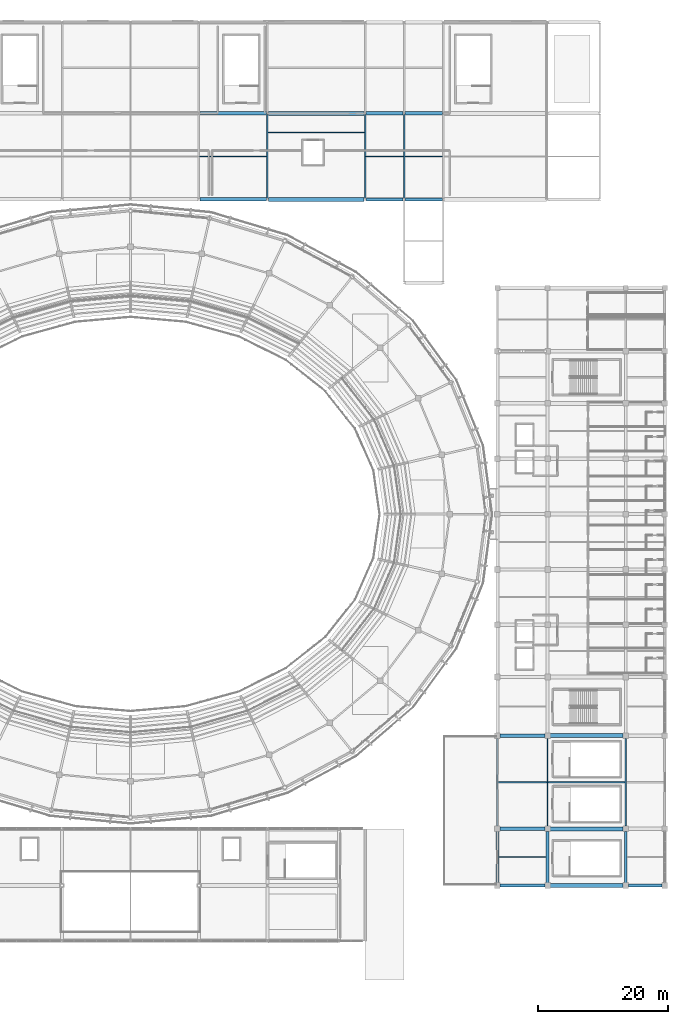
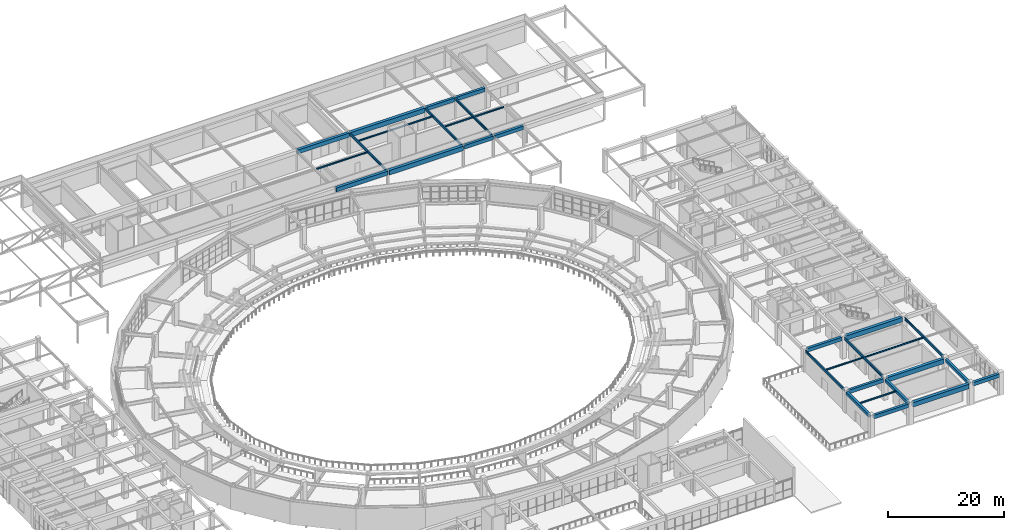
# One storey, part 62 of 122: 31 beams.
"""IFC4 building model written with IfcOpenShell, lengths in metres."""

import ifcopenshell
import ifcopenshell.guid

model = None  # the IFC model being written
_history = None  # IfcOwnerHistory: only IFC2X3 demands one
_inside = {}  # id of a spatial element -> (the spatial element, [elements in it])
_under = {}  # id of a project, library or spatial element -> (it, [spatial elements below it])
_declared = {}  # id of a project -> (the project, [libraries it declares])
_typed = {}  # id of a type object -> (the type object, [elements of that type])
_made_of = {}  # id of a material, layer set ... -> (it, [elements and type objects made of it])


def new_model(schema):
    """Start an empty IFC model of exactly this schema.

    Asked for "IFC4X3", IfcOpenShell would pick the latest addendum, in which some entities
    have other attributes; the version numbers below select the first issue.
    IFC2X3 requires an IfcOwnerHistory on every rooted entity: one is made here for all.
    """
    global model, _history
    if schema == "IFC4X3":
        model = ifcopenshell.file(schema_version=(4, 3, 0, 0))
    else:
        model = ifcopenshell.file(schema=schema)
    _inside.clear()
    _under.clear()
    _declared.clear()
    _typed.clear()
    _made_of.clear()
    _history = None
    if model.schema == "IFC2X3":
        org = make("IfcOrganization", Name="unknown")
        user = make(
            "IfcPersonAndOrganization",
            ThePerson=make("IfcPerson", FamilyName="unknown"),
            TheOrganization=org,
        )
        app = make(
            "IfcApplication",
            ApplicationDeveloper=org,
            Version="unknown",
            ApplicationFullName="unknown",
            ApplicationIdentifier="unknown",
        )
        _history = make(
            "IfcOwnerHistory",
            OwningUser=user,
            OwningApplication=app,
            ChangeAction="ADDED",
            CreationDate=0,
        )
    return model


def make(cls, **values):
    """One entity of the class cls with the attributes given. An attribute that is None is left unset."""
    return model.create_entity(
        cls, **{name: value for name, value in values.items() if value is not None}
    )


def rooted(cls, **values):
    """An entity with a GlobalId (a new one), such as an element, a storey or a relation."""
    return make(cls, GlobalId=ifcopenshell.guid.new(), OwnerHistory=_history, **values)


def si_unit(unit_type, name, prefix=None):
    """IfcSIUnit, for example si_unit("LENGTHUNIT", "METRE", prefix="MILLI")."""
    return make("IfcSIUnit", UnitType=unit_type, Prefix=prefix, Name=name)


def assignment(units):
    """IfcUnitAssignment: the units of a project."""
    return None if units is None else make("IfcUnitAssignment", Units=units)


def point(xyz):
    """IfcCartesianPoint."""
    return None if xyz is None else make("IfcCartesianPoint", Coordinates=xyz)


def direction(xyz):
    """IfcDirection."""
    return None if xyz is None else make("IfcDirection", DirectionRatios=xyz)


def frame(location, z_axis=None, x_axis=None):
    """IfcAxis2Placement3D, a coordinate frame: its origin and axes. An axis left out is left unset."""
    return make(
        "IfcAxis2Placement3D",
        Location=point(location),
        Axis=direction(z_axis),
        RefDirection=direction(x_axis),
    )


def frame_2d(location, x_axis=None):
    """IfcAxis2Placement2D, a coordinate frame in the plane: its origin and x axis."""
    return make(
        "IfcAxis2Placement2D", Location=point(location), RefDirection=direction(x_axis)
    )


def origin():
    """The frame at (0, 0, 0) with its axes left unset."""
    return frame((0.0, 0.0, 0.0))


def origin_2d():
    """The frame at (0, 0) in the plane with its x axis left unset."""
    return frame_2d((0.0, 0.0))


def place(relative_to, where):
    """IfcLocalPlacement: puts the frame where relative to a parent placement (None: the world)."""
    return make(
        "IfcLocalPlacement", PlacementRelTo=relative_to, RelativePlacement=where
    )


def context(
    kind, dimensions, precision=None, world=None, true_north=None, identifier=None
):
    """IfcGeometricRepresentationContext, for example the 3D "Model" context."""
    return make(
        "IfcGeometricRepresentationContext",
        ContextIdentifier=identifier,
        ContextType=kind,
        CoordinateSpaceDimension=dimensions,
        Precision=precision,
        WorldCoordinateSystem=world,
        TrueNorth=true_north,
    )


def subcontext(parent, identifier, kind, view, scale=None):
    """IfcGeometricRepresentationSubContext, for example "Body" below "Model"."""
    return make(
        "IfcGeometricRepresentationSubContext",
        ContextIdentifier=identifier,
        ContextType=kind,
        ParentContext=parent,
        TargetScale=scale,
        TargetView=view,
    )


def project(units=None, contexts=None):
    """IfcProject with its units and contexts."""
    return rooted(
        "IfcProject",
        Name="project",
        RepresentationContexts=contexts,
        UnitsInContext=assignment(units),
    )


def spatial(cls, under=None, at=None, **own):
    """A site, building, storey or space (cls), placed at a placement, below another one or the project."""
    s = rooted(cls, ObjectPlacement=at, **own)
    if under is not None:
        _under.setdefault(under.id(), (under, []))[1].append(s)
    return s


def profile(cls, at=None, kind="AREA", **sizes):
    """A parametric profile (cls). Its sizes go by their IFC names, for example OverallWidth=200.0."""
    return make(cls, ProfileType=kind, Position=at, **sizes)


def rectangle(**sizes):
    """IfcRectangleProfileDef."""
    return profile("IfcRectangleProfileDef", **sizes)


def i_section(**sizes):
    """IfcIShapeProfileDef."""
    return profile("IfcIShapeProfileDef", **sizes)


def extrude(swept, where, along, depth):
    """IfcExtrudedAreaSolid: the profile swept, set in the frame where, extruded along a direction by depth."""
    return make(
        "IfcExtrudedAreaSolid",
        SweptArea=swept,
        Position=where,
        ExtrudedDirection=direction(along),
        Depth=depth,
    )


def shape(context_of_items, identifier, shape_type, items):
    """IfcShapeRepresentation: the items that make up one representation, for example the "Body"."""
    return make(
        "IfcShapeRepresentation",
        ContextOfItems=context_of_items,
        RepresentationIdentifier=identifier,
        RepresentationType=shape_type,
        Items=items,
    )


def material(Name=None, Category=None):
    """IfcMaterial."""
    return make("IfcMaterial", Name=Name, Category=Category)


def material_profile(
    of_material, cross_section, Name=None, Category=None, Priority=None
):
    """IfcMaterialProfile: a cross section and its material."""
    return make(
        "IfcMaterialProfile",
        Name=Name,
        Material=of_material,
        Profile=cross_section,
        Priority=Priority,
        Category=Category,
    )


def profile_set(profiles, Name=None, composite=None):
    """IfcMaterialProfileSet."""
    return make(
        "IfcMaterialProfileSet",
        Name=Name,
        MaterialProfiles=profiles,
        CompositeProfile=composite,
    )


def made_of(thing, what):
    """Note that an element or type object is made of a material, layer set ...; save() writes the relation."""
    if what is not None:
        _made_of.setdefault(what.id(), (what, []))[1].append(thing)
    return thing


def type_object(cls, material=None, **own):
    """A type object (cls), such as IfcWallType, which elements share."""
    return made_of(rooted(cls, **own), material)


def element(
    cls,
    number,
    at=None,
    inside=None,
    cuts=None,
    type_object=None,
    material=None,
    context=None,
    identifier="Body",
    shape_type=None,
    held_by="IfcProductDefinitionShape",
    body=None,
    shapes=None,
    **own,
):
    """One element of the class cls, such as IfcWall. Its Tag is "e" and its number.

    at: its placement. inside: the storey or other place that contains it. cuts: it is an
    opening in that element (IfcRelVoidsElement). A single representation is given by context,
    identifier, shape_type and body (its items); several are given by shapes. held_by: the class
    of the entity that holds the representations. save() writes the other relations.
    """
    e = rooted(cls, Tag="e%d" % number, ObjectPlacement=at, **own)
    if body is not None:
        shapes = [shape(context, identifier, shape_type, body)]
    if shapes is not None:
        e.Representation = make(held_by, Representations=shapes)
    if inside is not None:
        _inside.setdefault(inside.id(), (inside, []))[1].append(e)
    if cuts is not None:
        rooted(
            "IfcRelVoidsElement", RelatingBuildingElement=cuts, RelatedOpeningElement=e
        )
    if type_object is not None:
        _typed.setdefault(type_object.id(), (type_object, []))[1].append(e)
    return made_of(e, material)


def aggregate(whole, parts):
    """IfcRelAggregates: a whole, such as a stair, and the parts it consists of."""
    return rooted("IfcRelAggregates", RelatingObject=whole, RelatedObjects=parts)


def save(model, path):
    """Write the relations noted so far, then the file.

    IfcRelAggregates (storeys below a building ...), IfcRelContainedInSpatialStructure (elements
    in a storey), IfcRelDefinesByType, IfcRelAssociatesMaterial and IfcRelDeclares: one each for
    every whole, place, type object, material and project.
    """
    for whole, parts in _under.values():
        aggregate(whole, parts)
    for where, things in _inside.values():
        rooted(
            "IfcRelContainedInSpatialStructure",
            RelatedElements=things,
            RelatingStructure=where,
        )
    for kind, things in _typed.values():
        rooted("IfcRelDefinesByType", RelatedObjects=things, RelatingType=kind)
    for what, things in _made_of.values():
        rooted("IfcRelAssociatesMaterial", RelatedObjects=things, RelatingMaterial=what)
    for by, libraries in _declared.values():
        rooted("IfcRelDeclares", RelatingContext=by, RelatedDefinitions=libraries)
    model.write(path)


model = new_model("IFC4")

# Units and contexts
model_context = context("Model", 3, precision=1e-05, world=origin(), true_north=direction((0.0, 1.0)))
body_context = subcontext(model_context, "Body", "Model", "MODEL_VIEW")
ifc_project = project(units=[si_unit("LENGTHUNIT", "METRE"), si_unit("AREAUNIT", "SQUARE_METRE"), si_unit("VOLUMEUNIT", "CUBIC_METRE"), si_unit("PLANEANGLEUNIT", "RADIAN"), si_unit("MASSUNIT", "GRAM", prefix="KILO")], contexts=[model_context])

# Site, building, storey
site_placement = place(None, origin())
site = spatial("IfcSite", under=ifc_project, at=site_placement, CompositionType="ELEMENT")
building_placement = place(site_placement, origin())
building = spatial("IfcBuilding", under=site, at=building_placement, Name="Cuetzalor Civic Arena", CompositionType="ELEMENT")
storey_placement = place(building_placement, frame((0.0, 0.0, 16.199951171875)))
storey = spatial("IfcBuildingStorey", under=building, at=storey_placement, Name="L03", CompositionType="ELEMENT", Elevation=16.199951171875)

# Beams
ifc_material_1 = material(Name="Concrete C40/50", Category="concrete")
ifc_material_profile_1 = material_profile(ifc_material_1, rectangle(XDim=0.5, YDim=0.75, at=origin_2d()), Name="RC 500x750")
ifc_profile_set_1 = profile_set([ifc_material_profile_1], Name="Concrete C40/50")
beam_type_1 = type_object("IfcBeamType", Name="ConcreteFrameBeam_500x750", PredefinedType="BEAM", material=ifc_profile_set_1)
beam_1_placement = place(storey_placement, frame((56.715087890625, -57.0, 4.0849609375), z_axis=(1.0, 0.0, 0.0), x_axis=(0.0, 1.0, 0.0)))
element("IfcBeam", 1, at=beam_1_placement, inside=storey, type_object=beam_type_1, Name="Frame Girder V4E-L03-X0956", PredefinedType="BEAM", context=body_context, shape_type="SweptSolid", body=[
    extrude(rectangle(XDim=0.5, YDim=0.75, at=origin_2d()), origin(), (0.0, 0.0, 1.0), 6.869873046875),
])
beam_2_placement = place(storey_placement, frame((76.4150390625, -57.0, 4.0849609375), z_axis=(1.0, 0.0, 0.0), x_axis=(0.0, 1.0, 0.0)))
element("IfcBeam", 2, at=beam_2_placement, inside=storey, type_object=beam_type_1, Name="Frame Girder V4E-L03-X0958", PredefinedType="BEAM", context=body_context, shape_type="SweptSolid", body=[
    extrude(rectangle(XDim=0.5, YDim=0.75, at=origin_2d()), origin(), (0.0, 0.0, 1.0), 5.169921875),
])
for number, where, z_axis, x_axis, name in (
    (3, (56.715087890625, -48.300048828125, 4.0849609375), (1.0, 0.0, 0.0), (0.0, 1.0, 0.0), "Frame Girder V4E-L03-X0959"),
    (4, (56.715087890625, -34.0, 4.14501953125), (1.0, 0.0, 0.0), (0.0, 1.0, 0.0), "Frame Girder V4E-L03-X0962"),
):
    element("IfcBeam", number, at=place(storey_placement, frame(where, z_axis=z_axis, x_axis=x_axis)), inside=storey, type_object=beam_type_1, Name=name, PredefinedType="BEAM", context=body_context, shape_type="SweptSolid", body=[
        extrude(rectangle(XDim=0.5, YDim=0.75, at=origin_2d()), origin(), (0.0, 0.0, 1.0), 6.869873046875),
    ])
for number, where, z_axis, x_axis, name in (
    (5, (36.142578125, 48.300048828125, 4.125), (1.0, 0.0, 0.0), (0.0, 1.0, 0.0), "Frame Girder V5-L03-X1037"),
    (6, (42.142578125, 48.300048828125, 4.125), (1.0, 0.0, 0.0), (0.0, 1.0, 0.0), "Frame Girder V5-L03-X1038"),
    (7, (36.142578125, 61.5, 4.125), (1.0, 0.0, 0.0), (0.0, 1.0, 0.0), "Frame Girder V5-L03-X1047"),
    (8, (42.142578125, 61.5, 4.125), (1.0, 0.0, 0.0), (0.0, 1.0, 0.0), "Frame Girder V5-L03-X1048"),
):
    element("IfcBeam", number, at=place(storey_placement, frame(where, z_axis=z_axis, x_axis=x_axis)), inside=storey, type_object=beam_type_1, Name=name, PredefinedType="BEAM", context=body_context, shape_type="SweptSolid", body=[
        extrude(rectangle(XDim=0.5, YDim=0.75, at=origin_2d()), origin(), (0.0, 0.0, 1.0), 5.71484375),
    ])
ifc_material_2 = material(Name="Concrete C40/50", Category="concrete")
ifc_material_profile_2 = material_profile(ifc_material_2, rectangle(XDim=0.550048828125, YDim=0.85009765625, at=origin_2d()), Name="RC 550x850")
ifc_profile_set_2 = profile_set([ifc_material_profile_2], Name="Concrete C40/50")
beam_type_2 = type_object("IfcBeamType", Name="ConcreteFrameBeam_550x850", PredefinedType="BEAM", material=ifc_profile_set_2)
for number, where, z_axis, x_axis, name in (
    (9, (10.642578125, 48.300048828125, 4.074951171875), (1.0, 0.0, 0.0), (0.0, 1.0, 0.0), "Frame Girder V5-L03-X1035"),
    (10, (10.642578125, 61.5, 4.074951171875), (1.0, 0.0, 0.0), (0.0, 1.0, 0.0), "Frame Girder V5-L03-X1045"),
):
    element("IfcBeam", number, at=place(storey_placement, frame(where, z_axis=z_axis, x_axis=x_axis)), inside=storey, type_object=beam_type_2, Name=name, PredefinedType="BEAM", context=body_context, shape_type="SweptSolid", body=[
        extrude(rectangle(XDim=0.550048828125, YDim=0.85009765625, at=origin_2d()), origin(), (0.0, 0.0, 1.0), 10.21484375),
    ])
ifc_material_3 = material(Name="Concrete C40/50", Category="concrete")
ifc_material_profile_3 = material_profile(ifc_material_3, rectangle(XDim=0.60009765625, YDim=0.949951171875, at=origin_2d()), Name="RC 600x950")
ifc_profile_set_3 = profile_set([ifc_material_profile_3], Name="Concrete C40/50")
beam_type_3 = type_object("IfcBeamType", Name="ConcreteFrameBeam_600x950", PredefinedType="BEAM", material=ifc_profile_set_3)
for number, where, z_axis, x_axis, name in (
    (11, (64.4150390625, -57.0, 3.985107421875), (1.0, 0.0, 0.0), (0.0, 1.0, 0.0), "Frame Girder V4E-L03-X0957"),
    (12, (64.4150390625, -48.300048828125, 3.985107421875), (1.0, 0.0, 0.0), (0.0, 1.0, 0.0), "Frame Girder V4E-L03-X0960"),
    (13, (64.4150390625, -34.0, 4.045166015625), (1.0, 0.0, 0.0), (0.0, 1.0, 0.0), "Frame Girder V4E-L03-X0963"),
):
    element("IfcBeam", number, at=place(storey_placement, frame(where, z_axis=z_axis, x_axis=x_axis)), inside=storey, type_object=beam_type_3, Name=name, PredefinedType="BEAM", context=body_context, shape_type="SweptSolid", body=[
        extrude(rectangle(XDim=0.60009765625, YDim=0.949951171875, at=origin_2d()), origin(), (0.0, 0.0, 1.0), 11.169921875),
    ])
for number, where, z_axis, x_axis, name in (
    (14, (21.142578125, 48.300048828125, 4.025146484375), (1.0, 0.0, 0.0), (0.0, 1.0, 0.0), "Frame Girder V5-L03-X1036"),
    (15, (21.142578125, 61.5, 4.025146484375), (1.0, 0.0, 0.0), (0.0, 1.0, 0.0), "Frame Girder V5-L03-X1046"),
):
    element("IfcBeam", number, at=place(storey_placement, frame(where, z_axis=z_axis, x_axis=x_axis)), inside=storey, type_object=beam_type_3, Name=name, PredefinedType="BEAM", context=body_context, shape_type="SweptSolid", body=[
        extrude(rectangle(XDim=0.60009765625, YDim=0.949951171875, at=origin_2d()), origin(), (0.0, 0.0, 1.0), 14.71484375),
    ])
ifc_material_4 = material(Name="Concrete C40/50", Category="concrete")
ifc_material_profile_4 = material_profile(ifc_material_4, rectangle(XDim=0.449951171875, YDim=0.64990234375, at=origin_2d()), Name="RC 450x650")
ifc_profile_set_4 = profile_set([ifc_material_profile_4], Name="Concrete C40/50")
beam_type_4 = type_object("IfcBeamType", Name="ConcreteTieBeam_450x650", PredefinedType="BEAM", material=ifc_profile_set_4)
for number, where, z_axis, x_axis, name in (
    (16, (56.300048828125, -56.5849609375, 4.135009765625), (0.0, 1.0, 0.0), (-1.0, 0.0, 0.0), "Frame Girder V4E-L03-Y0989"),
    (17, (64.0, -56.5849609375, 4.135009765625), (0.0, 1.0, 0.0), (-1.0, 0.0, 0.0), "Frame Girder V4E-L03-Y0999"),
    (18, (76.0, -56.5849609375, 4.135009765625), (0.0, 1.0, 0.0), (-1.0, 0.0, 0.0), "Frame Girder V4E-L03-Y1009"),
):
    element("IfcBeam", number, at=place(storey_placement, frame(where, z_axis=z_axis, x_axis=x_axis)), inside=storey, type_object=beam_type_4, Name=name, PredefinedType="BEAM", context=body_context, shape_type="SweptSolid", body=[
        extrude(rectangle(XDim=0.449951171875, YDim=0.64990234375, at=origin_2d()), origin(), (0.0, 0.0, 1.0), 7.869873046875),
    ])
ifc_material_5 = material(Name="Steel S355", Category="steel")
ifc_material_profile_5 = material_profile(ifc_material_5, i_section(OverallWidth=0.166015625, OverallDepth=0.31298828125, WebThickness=0.006591796875, FlangeThickness=0.01123046875, at=origin_2d()), Name="W310x45")
ifc_profile_set_5 = profile_set([ifc_material_profile_5], Name="Steel S355")
beam_type_5 = type_object("IfcBeamType", Name="SecondaryRoofJoist_W310", PredefinedType="JOIST", material=ifc_profile_set_5)
beam_3_placement = place(storey_placement, frame((56.51708984375, -52.64990234375, 4.303466796875), z_axis=(1.0, 0.0, 0.0), x_axis=(0.0, 1.0, 0.0)))
element("IfcBeam", 19, at=beam_3_placement, inside=storey, type_object=beam_type_5, Name="Secondary Floor Joist V4E-L03-0293", PredefinedType="JOIST", context=body_context, shape_type="SweptSolid", body=[
    extrude(i_section(OverallWidth=0.166015625, OverallDepth=0.31298828125, WebThickness=0.006591796875, FlangeThickness=0.01123046875, at=origin_2d()), origin(), (0.0, 0.0, 1.0), 7.265869140625),
])
beam_4_placement = place(storey_placement, frame((56.396484375, -41.14990234375, 4.363525390625), z_axis=(1.0, 0.0, 0.0), x_axis=(0.0, 1.0, 0.0)))
element("IfcBeam", 20, at=beam_4_placement, inside=storey, type_object=beam_type_5, Name="Secondary Floor Joist V4E-L03-0294", PredefinedType="JOIST", context=body_context, shape_type="SweptSolid", body=[
    extrude(i_section(OverallWidth=0.166015625, OverallDepth=0.31298828125, WebThickness=0.006591796875, FlangeThickness=0.01123046875, at=origin_2d()), origin(), (0.0, 0.0, 1.0), 7.507080078125),
])
beam_5_placement = place(storey_placement, frame((64.096435546875, -41.14990234375, 4.363525390625), z_axis=(1.0, 0.0, 0.0), x_axis=(0.0, 1.0, 0.0)))
element("IfcBeam", 21, at=beam_5_placement, inside=storey, type_object=beam_type_5, Name="Secondary Floor Joist V4E-L03-0302", PredefinedType="JOIST", context=body_context, shape_type="SweptSolid", body=[
    extrude(i_section(OverallWidth=0.166015625, OverallDepth=0.31298828125, WebThickness=0.006591796875, FlangeThickness=0.01123046875, at=origin_2d()), origin(), (0.0, 0.0, 1.0), 11.80712890625),
])
beam_6_placement = place(storey_placement, frame((10.596435546875, 54.89990234375, 4.343505859375), z_axis=(1.0, 0.0, 0.0), x_axis=(0.0, 1.0, 0.0)))
element("IfcBeam", 22, at=beam_6_placement, inside=storey, type_object=beam_type_5, Name="Secondary Floor Joist V5-L03-0326", PredefinedType="JOIST", context=body_context, shape_type="SweptSolid", body=[
    extrude(i_section(OverallWidth=0.166015625, OverallDepth=0.31298828125, WebThickness=0.006591796875, FlangeThickness=0.01123046875, at=origin_2d()), origin(), (0.0, 0.0, 1.0), 10.30712890625),
])
beam_7_placement = place(storey_placement, frame((21.096435546875, 58.595947265625, 4.343505859375), z_axis=(1.0, 0.0, 0.0), x_axis=(0.0, 1.0, 0.0)))
element("IfcBeam", 23, at=beam_7_placement, inside=storey, type_object=beam_type_5, Name="Secondary Floor Joist V5-L03-0327", PredefinedType="JOIST", context=body_context, shape_type="SweptSolid", body=[
    extrude(i_section(OverallWidth=0.166015625, OverallDepth=0.31298828125, WebThickness=0.006591796875, FlangeThickness=0.01123046875, at=origin_2d()), origin(), (0.0, 0.0, 1.0), 14.80712890625),
])
for number, where, z_axis, x_axis, name in (
    (24, (36.096435546875, 54.89990234375, 4.343505859375), (1.0, 0.0, 0.0), (0.0, 1.0, 0.0), "Secondary Floor Joist V5-L03-0329"),
    (25, (42.096435546875, 54.89990234375, 4.343505859375), (1.0, 0.0, 0.0), (0.0, 1.0, 0.0), "Secondary Floor Joist V5-L03-0332"),
):
    element("IfcBeam", number, at=place(storey_placement, frame(where, z_axis=z_axis, x_axis=x_axis)), inside=storey, type_object=beam_type_5, Name=name, PredefinedType="JOIST", context=body_context, shape_type="SweptSolid", body=[
        extrude(i_section(OverallWidth=0.166015625, OverallDepth=0.31298828125, WebThickness=0.006591796875, FlangeThickness=0.01123046875, at=origin_2d()), origin(), (0.0, 0.0, 1.0), 5.80712890625),
    ])
ifc_material_6 = material(Name="Steel S355", Category="steel")
ifc_material_profile_6 = material_profile(ifc_material_6, i_section(OverallWidth=0.208984375, OverallDepth=0.532958984375, WebThickness=0.01025390625, FlangeThickness=0.015625, at=origin_2d()), Name="W530x92")
ifc_profile_set_6 = profile_set([ifc_material_profile_6], Name="Steel S355")
beam_type_6 = type_object("IfcBeamType", Name="SteelCollarGirder_W530", PredefinedType="BEAM", material=ifc_profile_set_6)
for number, where, z_axis, x_axis, name in (
    (26, (56.300048828125, -47.885009765625, 4.253662109375), (0.0, 1.0, 0.0), (-1.0, 0.0, 0.0), "Frame Girder V4E-L03-Y0990"),
    (27, (64.0, -47.885009765625, 4.253662109375), (0.0, 1.0, 0.0), (-1.0, 0.0, 0.0), "Frame Girder V4E-L03-Y1000"),
    (28, (76.0, -47.885009765625, 4.253662109375), (0.0, 1.0, 0.0), (-1.0, 0.0, 0.0), "Frame Girder V4E-L03-Y1010"),
):
    element("IfcBeam", number, at=place(storey_placement, frame(where, z_axis=z_axis, x_axis=x_axis)), inside=storey, type_object=beam_type_6, Name=name, PredefinedType="BEAM", context=body_context, shape_type="SweptSolid", body=[
        extrude(i_section(OverallWidth=0.208984375, OverallDepth=0.532958984375, WebThickness=0.01025390625, FlangeThickness=0.015625, at=origin_2d()), origin(), (0.0, 0.0, 1.0), 13.469970703125),
    ])
for number, where, z_axis, x_axis, name in (
    (29, (21.0, 48.444091796875, 4.233642578125), (0.0, 1.0, 0.0), (-1.0, 0.0, 0.0), "Frame Girder V5-L03-Y1075"),
    (30, (36.0, 48.444091796875, 4.233642578125), (0.0, 1.0, 0.0), (-1.0, 0.0, 0.0), "Frame Girder V5-L03-Y1077"),
    (31, (42.0, 48.444091796875, 4.233642578125), (0.0, 1.0, 0.0), (-1.0, 0.0, 0.0), "Frame Girder V5-L03-Y1080"),
):
    element("IfcBeam", number, at=place(storey_placement, frame(where, z_axis=z_axis, x_axis=x_axis)), inside=storey, type_object=beam_type_6, Name=name, PredefinedType="BEAM", context=body_context, shape_type="SweptSolid", body=[
        extrude(i_section(OverallWidth=0.208984375, OverallDepth=0.532958984375, WebThickness=0.01025390625, FlangeThickness=0.015625, at=origin_2d()), origin(), (0.0, 0.0, 1.0), 12.911865234375),
    ])

save(model, "model.ifc")
